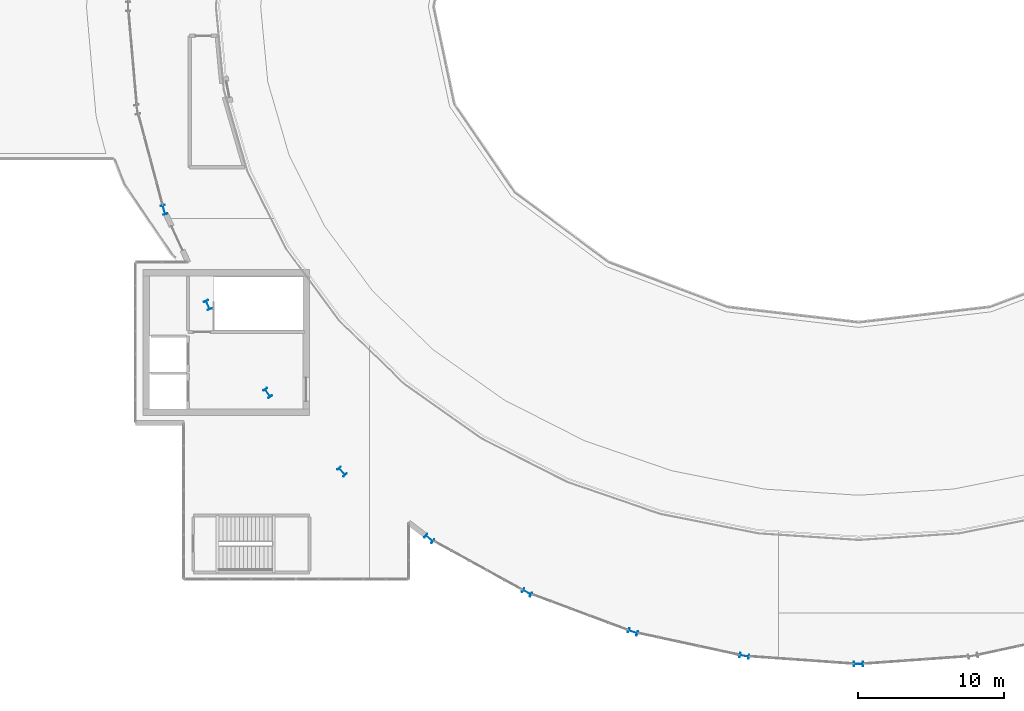
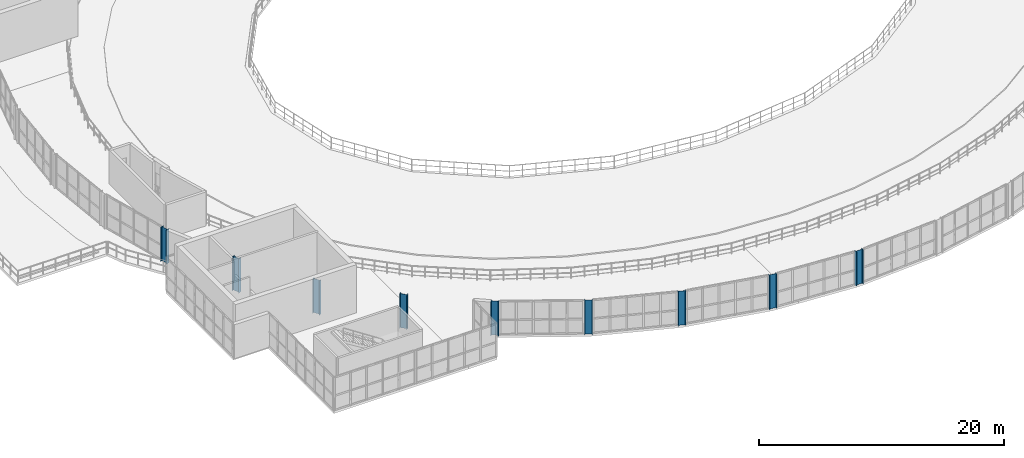
# One storey, part 1 of 40: 9 columns.
"""IFC4 building model written with IfcOpenShell, lengths in metres."""

from ifc_helpers import new_model, si_unit, direction, frame, origin, origin_2d, place, context, subcontext, project, spatial, i_section, extrude, material, material_profile, profile_set, type_object, element, save


model = new_model("IFC4")

# Units and contexts
model_context = context("Model", 3, precision=1e-05, world=origin(), true_north=direction((0.0, 1.0)))
body_context = subcontext(model_context, "Body", "Model", "MODEL_VIEW")
ifc_project = project(units=[si_unit("LENGTHUNIT", "METRE"), si_unit("AREAUNIT", "SQUARE_METRE"), si_unit("VOLUMEUNIT", "CUBIC_METRE"), si_unit("PLANEANGLEUNIT", "RADIAN"), si_unit("MASSUNIT", "GRAM", prefix="KILO")], contexts=[model_context])

# Site, building, storey
site_placement = place(None, origin())
site = spatial("IfcSite", under=ifc_project, at=site_placement, CompositionType="ELEMENT")
building_placement = place(site_placement, origin())
building = spatial("IfcBuilding", under=site, at=building_placement, Name="Glasvene Arena", CompositionType="ELEMENT")
storey_placement = place(building_placement, frame((0.0, 0.0, 24.0)))
storey = spatial("IfcBuildingStorey", under=building, at=storey_placement, Name="L05", CompositionType="ELEMENT", Elevation=24.0)

# Columns
ifc_material = material(Name="Steel S355J2", Category="steel")
ifc_material_profile = material_profile(ifc_material, i_section(OverallWidth=0.300048828125, OverallDepth=0.64990234375, WebThickness=0.01611328125, FlangeThickness=0.031005859375, FilletRadius=0.027099609375, at=origin_2d()), Name="HEB 650")
ifc_profile_set = profile_set([ifc_material_profile], Name="Steel S355J2")
column_type = type_object("IfcColumnType", Name="COL-RING-HEB650", PredefinedType="COLUMN", material=ifc_profile_set)
for number, where, z_axis, x_axis, name in (
    (1, (44.447265625, 59.09423828125, 0.0), (0.0, 0.0, 1.0), (-0.959805291975, -0.280666708921, 0.0), "Bowl ring column R23 L05"),
    (2, (47.44970703125, 52.5703125, 0.0), (0.0, 0.0, 1.0), (-0.909018020308, -0.416756810089, 0.0), "Bowl ring column R24 L05"),
    (3, (51.54931640625, 46.5498046875, 0.0), (0.0, 0.0, 1.0), (-0.836955398099, -0.547271104292, 0.0), "Bowl ring column R25 L05"),
    (4, (56.644775390625, 41.18017578125, 0.0), (0.0, 0.0, 1.0), (-0.74326159948, -0.669000892928, 0.0), "Bowl ring column R26 L05"),
    (5, (62.610595703125, 36.59423828125, 0.0), (0.0, 0.0, 1.0), (-0.628098877137, -0.778133536444, 0.0), "Bowl ring column R27 L05"),
    (6, (69.300537109375, 32.90478515625, 0.0), (0.0, 0.0, 1.0), (-0.492727341548, -0.87018375467, 0.0), "Bowl ring column R28 L05"),
    (7, (76.54931640625, 30.202392578125, 0.0), (0.0, 0.0, 1.0), (-0.339558864524, -0.94058480613, 0.0), "Bowl ring column R29 L05"),
    (8, (84.17822265625, 28.553955078125, 0.0), (0.0, 0.0, 1.0), (-0.173304404339, -0.984868307662, 0.0), "Bowl ring column R30 L05"),
    (9, (92.0, 28.0, 0.0), (0.0, 0.0, 1.0), (0.0, -1.0, 0.0), "Bowl ring column R31 L05"),
):
    element("IfcColumn", number, at=place(storey_placement, frame(where, z_axis=z_axis, x_axis=x_axis)), inside=storey, type_object=column_type, Name=name, PredefinedType="COLUMN", context=body_context, shape_type="SweptSolid", body=[
        extrude(i_section(OverallWidth=0.300048828125, OverallDepth=0.64990234375, WebThickness=0.01611328125, FlangeThickness=0.031005859375, FilletRadius=0.027099609375, at=origin_2d()), origin(), (0.0, 0.0, 1.0), 3.39990234375),
    ])

save(model, "model.ifc")
